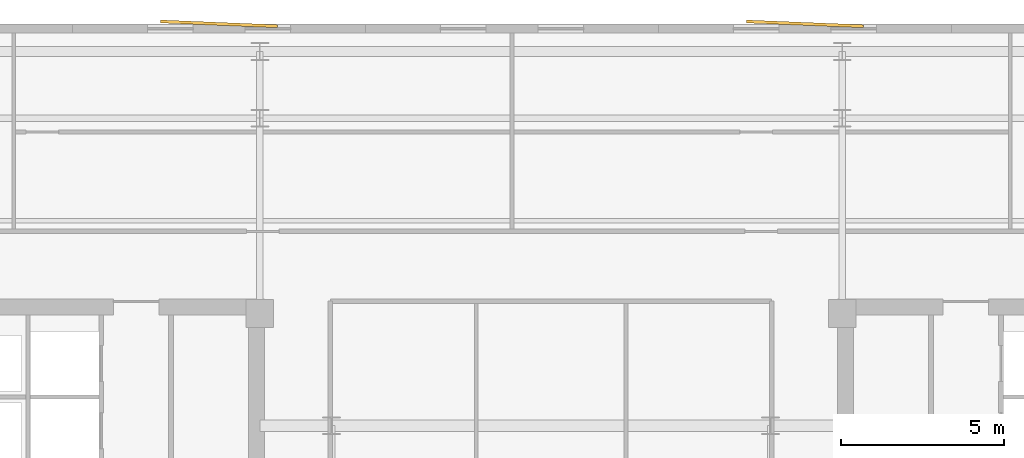
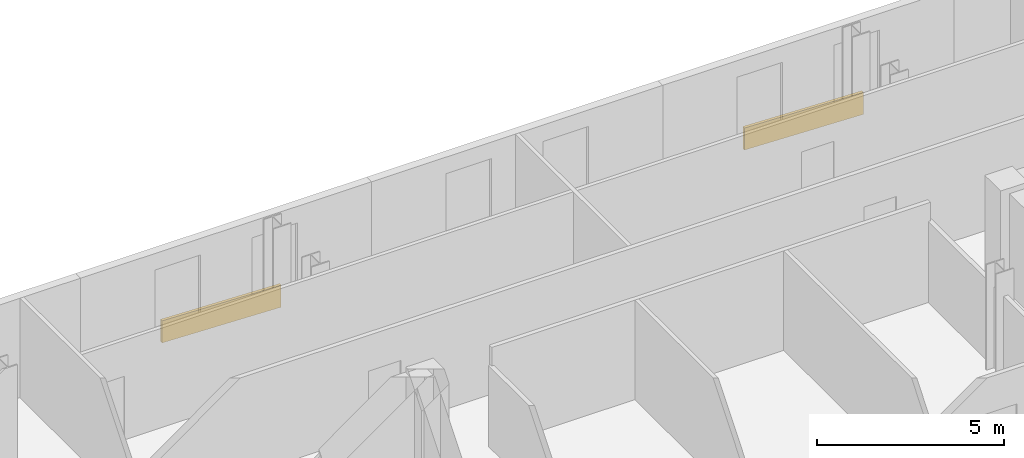
# One storey, part 9 of 9: 2 coverings.
"""IFC4 building model written with IfcOpenShell, lengths in metres."""

from ifc_helpers import new_model, si_unit, direction, frame, origin, origin_2d, place, context, subcontext, project, spatial, rectangle, extrude, material, layer, layer_set, type_object, element, save


model = new_model("IFC4")

# Units and contexts
model_context = context("Model", 3, precision=1e-05, world=origin(), true_north=direction((0.0, 1.0)))
body_context = subcontext(model_context, "Body", "Model", "MODEL_VIEW")
ifc_project = project(units=[si_unit("LENGTHUNIT", "METRE"), si_unit("AREAUNIT", "SQUARE_METRE"), si_unit("VOLUMEUNIT", "CUBIC_METRE"), si_unit("PLANEANGLEUNIT", "RADIAN"), si_unit("MASSUNIT", "GRAM", prefix="KILO")], contexts=[model_context])

# Site, building, storey
site_placement = place(None, origin())
site = spatial("IfcSite", under=ifc_project, at=site_placement, CompositionType="ELEMENT")
building_placement = place(site_placement, origin())
building = spatial("IfcBuilding", under=site, at=building_placement, Name="Velakula Bourse", CompositionType="ELEMENT")
storey_placement = place(building_placement, frame((0.0, 0.0, 232.64990234375)))
storey = spatial("IfcBuildingStorey", under=building, at=storey_placement, Name="L63", CompositionType="ELEMENT", Elevation=232.64990234375)

# Coverings
ifc_material = material(Name="Red kilned clay facing brick masonry", Category="masonry")
ifc_layer = layer(ifc_material, 0.090087890625, Name="Red kilned clay facing brick masonry", Category="masonry")
ifc_layer_set = layer_set([ifc_layer], Name="Red kilned clay facing brick masonry")
covering_type = type_object("IfcCoveringType", Name="COV-BRK-FOLD-90", PredefinedType="CLADDING", material=ifc_layer_set)
for number, where, z_axis, x_axis, name in (
    (1, (-10.199951171875, 17.5, 0.0), (0.0, 0.0, 1.0), (0.999158993058, -0.041003738744, 0.0), "L63 Folded Brick Facade Cladding Panel N-B2"),
    (2, (7.800048828125, 17.5, 0.0), (0.0, 0.0, 1.0), (0.999158993058, -0.041003738744, 0.0), "L63 Folded Brick Facade Cladding Panel N-B4"),
):
    element("IfcCovering", number, at=place(storey_placement, frame(where, z_axis=z_axis, x_axis=x_axis)), inside=storey, type_object=covering_type, Name=name, PredefinedType="CLADDING", context=body_context, shape_type="SweptSolid", body=[
        extrude(rectangle(XDim=3.60009765625, YDim=0.090087890625, at=origin_2d()), origin(), (0.0, 0.0, 1.0), 0.719970703125),
    ])

save(model, "model.ifc")
